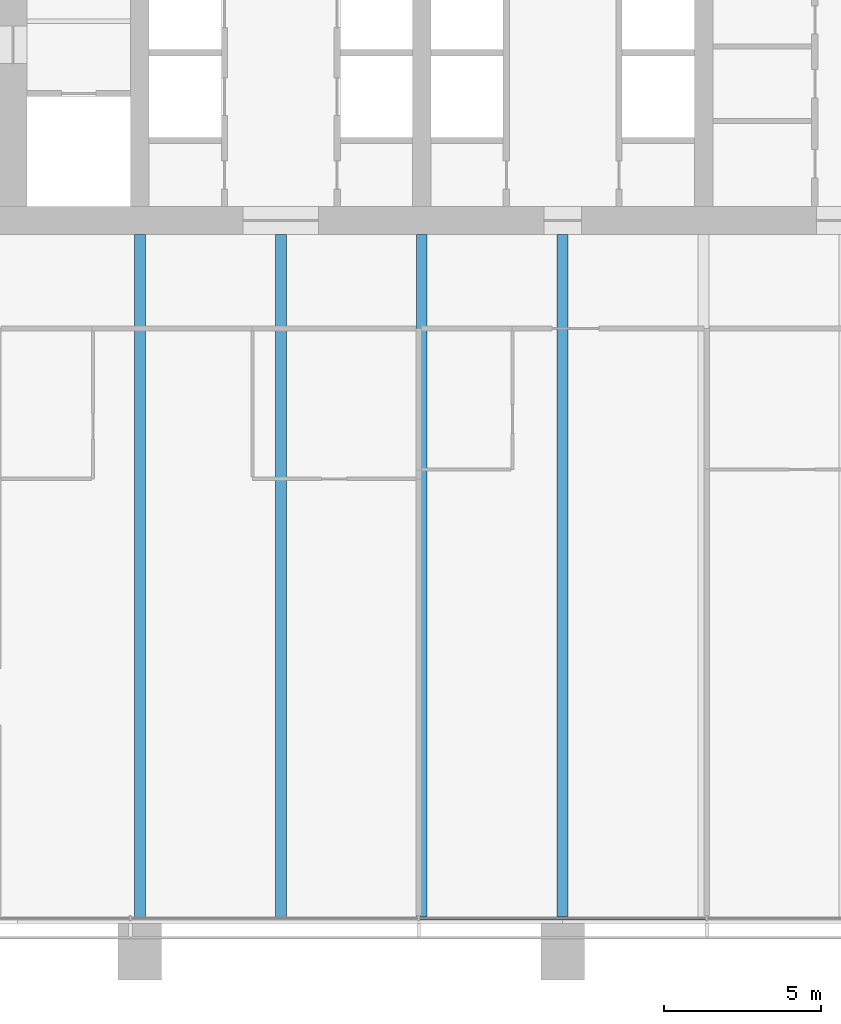
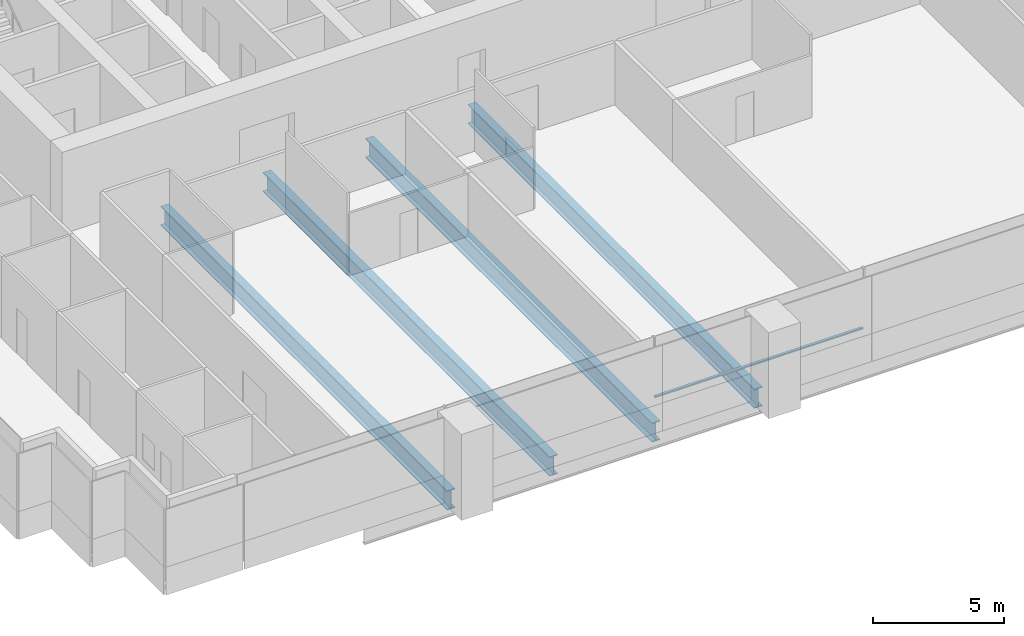
# One storey, part 3 of 17: 4 beams, 1 member, 1 element without a shape of its own.
"""IFC4 building model written with IfcOpenShell, lengths in metres."""

from ifc_helpers import new_model, si_unit, direction, frame, origin, origin_2d, place, context, subcontext, project, spatial, rectangle, i_section, extrude, material, material_profile, profile_set, type_object, element, aggregate, save


model = new_model("IFC4")

# Units and contexts
model_context = context("Model", 3, precision=1e-05, world=origin(), true_north=direction((0.0, 1.0)))
body_context = subcontext(model_context, "Body", "Model", "MODEL_VIEW")
ifc_project = project(units=[si_unit("LENGTHUNIT", "METRE"), si_unit("AREAUNIT", "SQUARE_METRE"), si_unit("VOLUMEUNIT", "CUBIC_METRE"), si_unit("PLANEANGLEUNIT", "RADIAN"), si_unit("MASSUNIT", "GRAM", prefix="KILO")], contexts=[model_context])

# Site, building, storey
site_placement = place(None, origin())
site = spatial("IfcSite", under=ifc_project, at=site_placement, CompositionType="ELEMENT")
building_placement = place(site_placement, origin())
building = spatial("IfcBuilding", under=site, at=building_placement, Name="Rattan Terrace Tower", CompositionType="ELEMENT")
storey_placement = place(building_placement, frame((0.0, 0.0, 146.10009765625)))
storey = spatial("IfcBuildingStorey", under=building, at=storey_placement, Name="L33", CompositionType="ELEMENT", Elevation=146.10009765625)

# Curtain wall, member
ifc_material_1 = material(Name="Aluminium and glass", Category="aluminium")
curtain_wall_type = type_object("IfcCurtainWallType", Name="Facade Unitised Curtain Wall", PredefinedType="NOTDEFINED", material=ifc_material_1)
curtain_wall_placement = place(storey_placement, origin())
curtain_wall = element("IfcCurtainWall", 1, at=curtain_wall_placement, inside=storey, type_object=curtain_wall_type, Name="Curtain wall L33-4", PredefinedType="NOTDEFINED")
ifc_material_2 = material(Name="Aluminium", Category="aluminium")
ifc_material_profile_1 = material_profile(ifc_material_2, rectangle(XDim=0.1201171875, YDim=0.06005859375, at=origin_2d()), Name="Aluminium 120x60")
ifc_profile_set_1 = profile_set([ifc_material_profile_1], Name="Aluminium")
member_type = type_object("IfcMemberType", Name="Facade CW Transom 120x60", PredefinedType="USERDEFINED", material=ifc_profile_set_1)
member_placement = place(storey_placement, frame((-4.568115234375, -29.330078125, 1.0), z_axis=(1.0, 0.0, 0.0), x_axis=(0.0, 1.0, 0.0)))
member = element("IfcMember", 2, at=member_placement, type_object=member_type, Name="Transom cwl-L33-004.3", ObjectType="TRANSOM", PredefinedType="USERDEFINED", context=body_context, shape_type="SweptSolid", body=[
    extrude(rectangle(XDim=0.1201171875, YDim=0.06005859375, at=origin_2d()), origin(), (0.0, 0.0, 1.0), 9.14111328125),
])
aggregate(curtain_wall, [member])

# Beams
ifc_material_3 = material(Name="Steel S460", Category="steel")
ifc_material_profile_2 = material_profile(ifc_material_3, i_section(OverallWidth=0.35009765625, OverallDepth=0.89990234375, WebThickness=0.013916015625, FlangeThickness=0.0400390625, at=origin_2d()), Name="PG 900x350-14-40")
ifc_profile_set_2 = profile_set([ifc_material_profile_2], Name="Steel S460")
beam_type = type_object("IfcBeamType", Name="Frame floor beam PG 900x350-14-40", PredefinedType="JOIST", material=ifc_profile_set_2)
for number, where, z_axis, x_axis, name in (
    (3, (-13.5, -29.320068359375, -0.650146484375), (0.0, 1.0, 0.0), (-1.0, 0.0, 0.0), "bm-L33-003"),
    (4, (-9.0, -29.320068359375, -0.650146484375), (0.0, 1.0, 0.0), (-1.0, 0.0, 0.0), "bm-L33-004"),
    (5, (-4.5, -29.320068359375, -0.650146484375), (0.0, 1.0, 0.0), (-1.0, 0.0, 0.0), "bm-L33-005"),
    (6, (0.0, -29.320068359375, -0.650146484375), (0.0, 1.0, 0.0), (-1.0, 0.0, 0.0), "bm-L33-006"),
):
    element("IfcBeam", number, at=place(storey_placement, frame(where, z_axis=z_axis, x_axis=x_axis)), inside=storey, type_object=beam_type, Name=name, PredefinedType="JOIST", context=body_context, shape_type="SweptSolid", body=[
        extrude(i_section(OverallWidth=0.35009765625, OverallDepth=0.89990234375, WebThickness=0.013916015625, FlangeThickness=0.0400390625, at=origin_2d()), origin(), (0.0, 0.0, 1.0), 21.820068359375),
    ])

save(model, "model.ifc")
